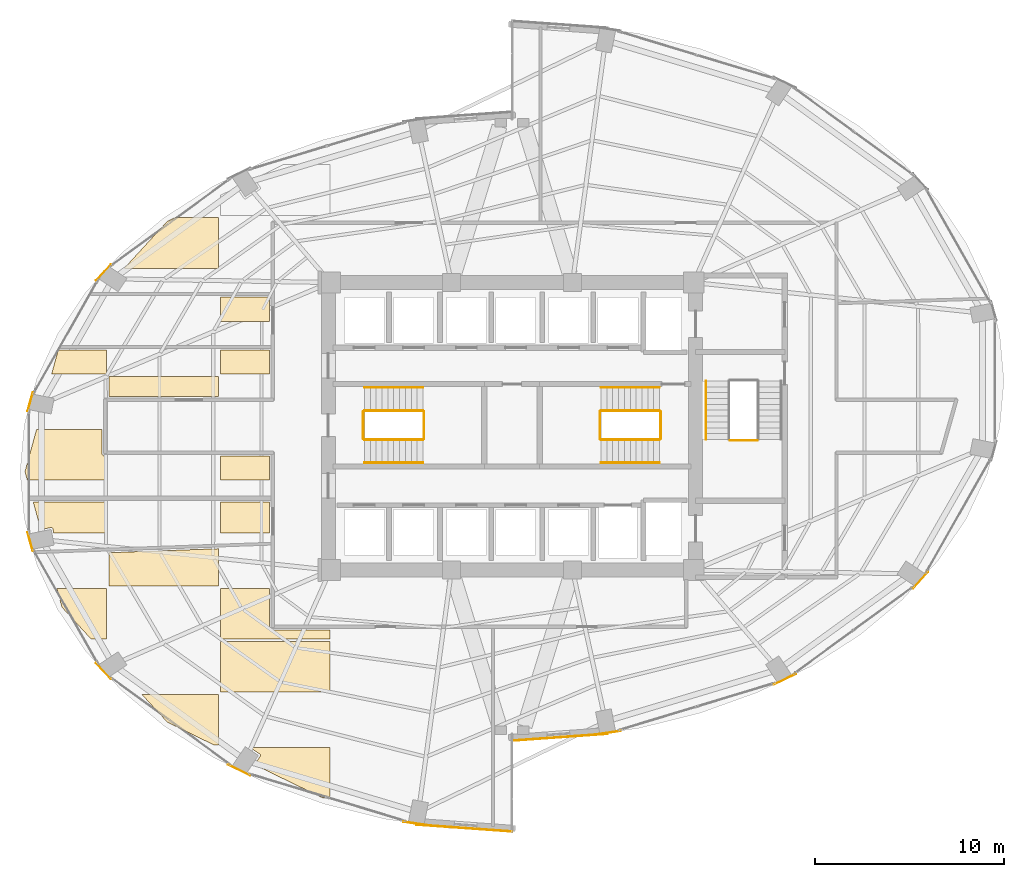
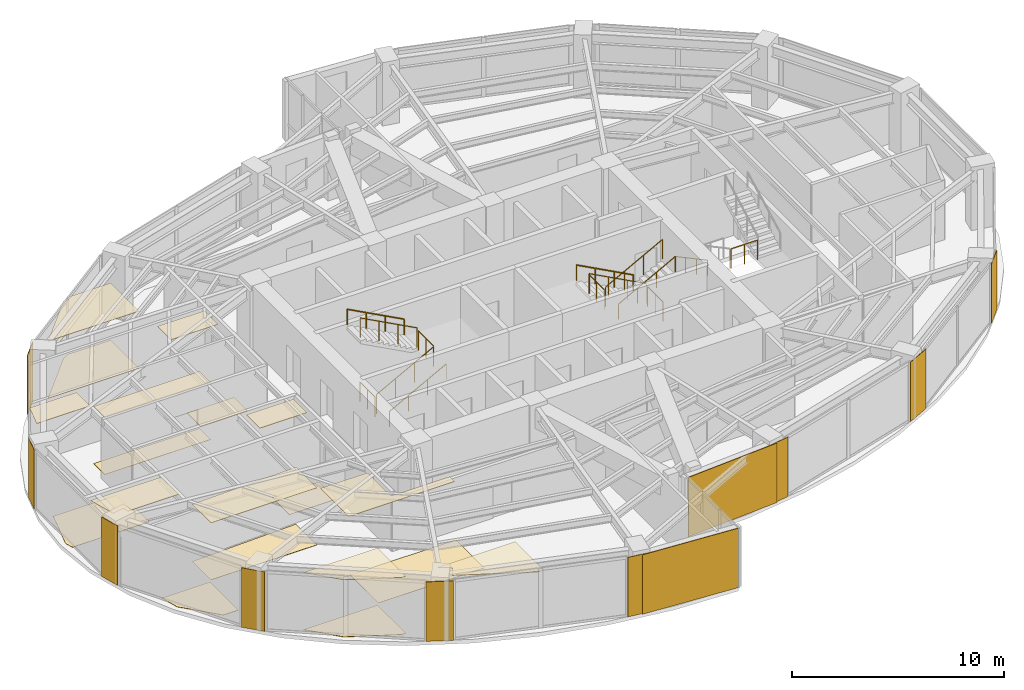
# One storey, part 23 of 24: 30 coverings, 14 railings.
"""IFC4 building model written with IfcOpenShell, lengths in metres."""

import ifcopenshell
import ifcopenshell.guid

model = None  # the IFC model being written
_history = None  # IfcOwnerHistory: only IFC2X3 demands one
_inside = {}  # id of a spatial element -> (the spatial element, [elements in it])
_under = {}  # id of a project, library or spatial element -> (it, [spatial elements below it])
_declared = {}  # id of a project -> (the project, [libraries it declares])
_typed = {}  # id of a type object -> (the type object, [elements of that type])
_made_of = {}  # id of a material, layer set ... -> (it, [elements and type objects made of it])


def new_model(schema):
    """Start an empty IFC model of exactly this schema.

    Asked for "IFC4X3", IfcOpenShell would pick the latest addendum, in which some entities
    have other attributes; the version numbers below select the first issue.
    IFC2X3 requires an IfcOwnerHistory on every rooted entity: one is made here for all.
    """
    global model, _history
    if schema == "IFC4X3":
        model = ifcopenshell.file(schema_version=(4, 3, 0, 0))
    else:
        model = ifcopenshell.file(schema=schema)
    _inside.clear()
    _under.clear()
    _declared.clear()
    _typed.clear()
    _made_of.clear()
    _history = None
    if model.schema == "IFC2X3":
        org = make("IfcOrganization", Name="unknown")
        user = make(
            "IfcPersonAndOrganization",
            ThePerson=make("IfcPerson", FamilyName="unknown"),
            TheOrganization=org,
        )
        app = make(
            "IfcApplication",
            ApplicationDeveloper=org,
            Version="unknown",
            ApplicationFullName="unknown",
            ApplicationIdentifier="unknown",
        )
        _history = make(
            "IfcOwnerHistory",
            OwningUser=user,
            OwningApplication=app,
            ChangeAction="ADDED",
            CreationDate=0,
        )
    return model


def make(cls, **values):
    """One entity of the class cls with the attributes given. An attribute that is None is left unset."""
    return model.create_entity(
        cls, **{name: value for name, value in values.items() if value is not None}
    )


def rooted(cls, **values):
    """An entity with a GlobalId (a new one), such as an element, a storey or a relation."""
    return make(cls, GlobalId=ifcopenshell.guid.new(), OwnerHistory=_history, **values)


def si_unit(unit_type, name, prefix=None):
    """IfcSIUnit, for example si_unit("LENGTHUNIT", "METRE", prefix="MILLI")."""
    return make("IfcSIUnit", UnitType=unit_type, Prefix=prefix, Name=name)


def assignment(units):
    """IfcUnitAssignment: the units of a project."""
    return None if units is None else make("IfcUnitAssignment", Units=units)


def point(xyz):
    """IfcCartesianPoint."""
    return None if xyz is None else make("IfcCartesianPoint", Coordinates=xyz)


def direction(xyz):
    """IfcDirection."""
    return None if xyz is None else make("IfcDirection", DirectionRatios=xyz)


def frame(location, z_axis=None, x_axis=None):
    """IfcAxis2Placement3D, a coordinate frame: its origin and axes. An axis left out is left unset."""
    return make(
        "IfcAxis2Placement3D",
        Location=point(location),
        Axis=direction(z_axis),
        RefDirection=direction(x_axis),
    )


def frame_2d(location, x_axis=None):
    """IfcAxis2Placement2D, a coordinate frame in the plane: its origin and x axis."""
    return make(
        "IfcAxis2Placement2D", Location=point(location), RefDirection=direction(x_axis)
    )


def origin():
    """The frame at (0, 0, 0) with its axes left unset."""
    return frame((0.0, 0.0, 0.0))


def origin_2d():
    """The frame at (0, 0) in the plane with its x axis left unset."""
    return frame_2d((0.0, 0.0))


def place(relative_to, where):
    """IfcLocalPlacement: puts the frame where relative to a parent placement (None: the world)."""
    return make(
        "IfcLocalPlacement", PlacementRelTo=relative_to, RelativePlacement=where
    )


def context(
    kind, dimensions, precision=None, world=None, true_north=None, identifier=None
):
    """IfcGeometricRepresentationContext, for example the 3D "Model" context."""
    return make(
        "IfcGeometricRepresentationContext",
        ContextIdentifier=identifier,
        ContextType=kind,
        CoordinateSpaceDimension=dimensions,
        Precision=precision,
        WorldCoordinateSystem=world,
        TrueNorth=true_north,
    )


def subcontext(parent, identifier, kind, view, scale=None):
    """IfcGeometricRepresentationSubContext, for example "Body" below "Model"."""
    return make(
        "IfcGeometricRepresentationSubContext",
        ContextIdentifier=identifier,
        ContextType=kind,
        ParentContext=parent,
        TargetScale=scale,
        TargetView=view,
    )


def project(units=None, contexts=None):
    """IfcProject with its units and contexts."""
    return rooted(
        "IfcProject",
        Name="project",
        RepresentationContexts=contexts,
        UnitsInContext=assignment(units),
    )


def spatial(cls, under=None, at=None, **own):
    """A site, building, storey or space (cls), placed at a placement, below another one or the project."""
    s = rooted(cls, ObjectPlacement=at, **own)
    if under is not None:
        _under.setdefault(under.id(), (under, []))[1].append(s)
    return s


def polyline(points):
    """IfcPolyline through the points."""
    return make("IfcPolyline", Points=[point(p) for p in points])


def profile(cls, at=None, kind="AREA", **sizes):
    """A parametric profile (cls). Its sizes go by their IFC names, for example OverallWidth=200.0."""
    return make(cls, ProfileType=kind, Position=at, **sizes)


def rectangle(**sizes):
    """IfcRectangleProfileDef."""
    return profile("IfcRectangleProfileDef", **sizes)


def circle(**sizes):
    """IfcCircleProfileDef."""
    return profile("IfcCircleProfileDef", **sizes)


def outline(outer, holes=None, kind="AREA"):
    """IfcArbitraryClosedProfileDef: a profile drawn as a closed curve; with holes, ...WithVoids."""
    if holes is None:
        return make("IfcArbitraryClosedProfileDef", ProfileType=kind, OuterCurve=outer)
    return make(
        "IfcArbitraryProfileDefWithVoids",
        ProfileType=kind,
        OuterCurve=outer,
        InnerCurves=holes,
    )


def extrude(swept, where, along, depth):
    """IfcExtrudedAreaSolid: the profile swept, set in the frame where, extruded along a direction by depth."""
    return make(
        "IfcExtrudedAreaSolid",
        SweptArea=swept,
        Position=where,
        ExtrudedDirection=direction(along),
        Depth=depth,
    )


def shape(context_of_items, identifier, shape_type, items):
    """IfcShapeRepresentation: the items that make up one representation, for example the "Body"."""
    return make(
        "IfcShapeRepresentation",
        ContextOfItems=context_of_items,
        RepresentationIdentifier=identifier,
        RepresentationType=shape_type,
        Items=items,
    )


def material(Name=None, Category=None):
    """IfcMaterial."""
    return make("IfcMaterial", Name=Name, Category=Category)


def layer(
    of_material, thickness, ventilated=None, Name=None, Category=None, Priority=None
):
    """IfcMaterialLayer: one layer of a wall or slab, of a material (None: an air gap)."""
    return make(
        "IfcMaterialLayer",
        Material=of_material,
        LayerThickness=thickness,
        IsVentilated=ventilated,
        Name=Name,
        Category=Category,
        Priority=Priority,
    )


def layer_set(layers, Name=None):
    """IfcMaterialLayerSet."""
    return make("IfcMaterialLayerSet", MaterialLayers=layers, LayerSetName=Name)


def made_of(thing, what):
    """Note that an element or type object is made of a material, layer set ...; save() writes the relation."""
    if what is not None:
        _made_of.setdefault(what.id(), (what, []))[1].append(thing)
    return thing


def type_object(cls, material=None, **own):
    """A type object (cls), such as IfcWallType, which elements share."""
    return made_of(rooted(cls, **own), material)


def element(
    cls,
    number,
    at=None,
    inside=None,
    cuts=None,
    type_object=None,
    material=None,
    context=None,
    identifier="Body",
    shape_type=None,
    held_by="IfcProductDefinitionShape",
    body=None,
    shapes=None,
    **own,
):
    """One element of the class cls, such as IfcWall. Its Tag is "e" and its number.

    at: its placement. inside: the storey or other place that contains it. cuts: it is an
    opening in that element (IfcRelVoidsElement). A single representation is given by context,
    identifier, shape_type and body (its items); several are given by shapes. held_by: the class
    of the entity that holds the representations. save() writes the other relations.
    """
    e = rooted(cls, Tag="e%d" % number, ObjectPlacement=at, **own)
    if body is not None:
        shapes = [shape(context, identifier, shape_type, body)]
    if shapes is not None:
        e.Representation = make(held_by, Representations=shapes)
    if inside is not None:
        _inside.setdefault(inside.id(), (inside, []))[1].append(e)
    if cuts is not None:
        rooted(
            "IfcRelVoidsElement", RelatingBuildingElement=cuts, RelatedOpeningElement=e
        )
    if type_object is not None:
        _typed.setdefault(type_object.id(), (type_object, []))[1].append(e)
    return made_of(e, material)


def aggregate(whole, parts):
    """IfcRelAggregates: a whole, such as a stair, and the parts it consists of."""
    return rooted("IfcRelAggregates", RelatingObject=whole, RelatedObjects=parts)


def save(model, path):
    """Write the relations noted so far, then the file.

    IfcRelAggregates (storeys below a building ...), IfcRelContainedInSpatialStructure (elements
    in a storey), IfcRelDefinesByType, IfcRelAssociatesMaterial and IfcRelDeclares: one each for
    every whole, place, type object, material and project.
    """
    for whole, parts in _under.values():
        aggregate(whole, parts)
    for where, things in _inside.values():
        rooted(
            "IfcRelContainedInSpatialStructure",
            RelatedElements=things,
            RelatingStructure=where,
        )
    for kind, things in _typed.values():
        rooted("IfcRelDefinesByType", RelatedObjects=things, RelatingType=kind)
    for what, things in _made_of.values():
        rooted("IfcRelAssociatesMaterial", RelatedObjects=things, RelatingMaterial=what)
    for by, libraries in _declared.values():
        rooted("IfcRelDeclares", RelatingContext=by, RelatedDefinitions=libraries)
    model.write(path)


model = new_model("IFC4")

# Units and contexts
model_context = context("Model", 3, precision=1e-05, world=origin(), true_north=direction((0.0, 1.0)))
body_context = subcontext(model_context, "Body", "Model", "MODEL_VIEW")
ifc_project = project(units=[si_unit("LENGTHUNIT", "METRE"), si_unit("AREAUNIT", "SQUARE_METRE"), si_unit("VOLUMEUNIT", "CUBIC_METRE"), si_unit("PLANEANGLEUNIT", "RADIAN"), si_unit("MASSUNIT", "GRAM", prefix="KILO")], contexts=[model_context])

# Site, building, storey
site_placement = place(None, origin())
site = spatial("IfcSite", under=ifc_project, at=site_placement, CompositionType="ELEMENT")
building_placement = place(site_placement, origin())
building = spatial("IfcBuilding", under=site, at=building_placement, Name="Lazwardi Medical Tower", CompositionType="ELEMENT")
storey_placement = place(building_placement, frame((0.0, 0.0, 99.98388671875)))
storey = spatial("IfcBuildingStorey", under=building, at=storey_placement, Name="L25", CompositionType="ELEMENT", Elevation=99.98388671875)

# Coverings
ifc_material_1 = material(Name="Anodised bronze aluminium cassette cladding", Category="aluminium")
ifc_layer_1 = layer(ifc_material_1, 0.030029296875)
ifc_layer_set_1 = layer_set([ifc_layer_1], Name="Anodised bronze aluminium cassette cladding")
covering_type_1 = type_object("IfcCoveringType", Name="COV-CLD-BRZ", PredefinedType="CLADDING", material=ifc_layer_set_1)
covering_1_placement = place(storey_placement, frame((41.064208984375, 11.80322265625, 0.0), z_axis=(0.0, 0.0, 1.0), x_axis=(0.989609019093, 0.143784523955, 0.0)))
element("IfcCovering", 1, at=covering_1_placement, inside=storey, type_object=covering_type_1, Name="L25 Mega-column bronze cassette cover M01", PredefinedType="CLADDING", context=body_context, shape_type="SweptSolid", body=[
    extrude(rectangle(XDim=1.392333984375, YDim=0.030029296875, at=origin_2d()), origin(), (0.0, 0.0, 1.0), 3.427978515625),
])
covering_2_placement = place(storey_placement, frame((50.421875, 14.634521484375, 0.0), z_axis=(0.0, 0.0, 1.0), x_axis=(0.898679250201, 0.438606435495, 0.0)))
element("IfcCovering", 2, at=covering_2_placement, inside=storey, type_object=covering_type_1, Name="L25 Mega-column bronze cassette cover M02", PredefinedType="CLADDING", context=body_context, shape_type="SweptSolid", body=[
    extrude(rectangle(XDim=1.2998046875, YDim=0.030029296875, at=origin_2d()), origin(), (0.0, 0.0, 1.0), 3.427978515625),
])
for number, where, z_axis, x_axis, name in (
    (3, (57.583740234375, 19.86572265625, 0.0), (0.0, 0.0, 1.0), (0.674925949214, 0.737885467453, 0.0), "L25 Mega-column bronze cassette cover M03"),
    (4, (14.416259765625, 36.13427734375, 0.0), (0.0, 0.0, 1.0), (-0.674925949214, -0.737885467453, 0.0), "L25 Mega-column bronze cassette cover M11"),
):
    element("IfcCovering", number, at=place(storey_placement, frame(where, z_axis=z_axis, x_axis=x_axis)), inside=storey, type_object=covering_type_1, Name=name, PredefinedType="CLADDING", context=body_context, shape_type="SweptSolid", body=[
        extrude(rectangle(XDim=1.15625, YDim=0.030029296875, at=origin_2d()), origin(), (0.0, 0.0, 1.0), 3.427978515625),
    ])
for number, where, z_axis, x_axis, name in (
    (5, (10.540283203125, 29.299072265625, 0.0), (0.0, 0.0, 1.0), (-0.262696108164, -0.964878621774, 0.0), "L25 Mega-column bronze cassette cover M12"),
    (6, (10.540283203125, 21.90087890625, 0.0), (0.0, 0.0, 1.0), (0.262696108164, -0.964878621774, 0.0), "L25 Mega-column bronze cassette cover M13"),
):
    element("IfcCovering", number, at=place(storey_placement, frame(where, z_axis=z_axis, x_axis=x_axis)), inside=storey, type_object=covering_type_1, Name=name, PredefinedType="CLADDING", context=body_context, shape_type="SweptSolid", body=[
        extrude(rectangle(XDim=1.04296875, YDim=0.030029296875, at=origin_2d()), origin(), (0.0, 0.0, 1.0), 3.427978515625),
    ])
covering_3_placement = place(storey_placement, frame((14.416259765625, 15.06591796875, 0.0), z_axis=(0.0, 0.0, 1.0), x_axis=(0.674925949214, -0.737885467453, 0.0)))
element("IfcCovering", 7, at=covering_3_placement, inside=storey, type_object=covering_type_1, Name="L25 Mega-column bronze cassette cover M14", PredefinedType="CLADDING", context=body_context, shape_type="SweptSolid", body=[
    extrude(rectangle(XDim=1.15625, YDim=0.030029296875, at=origin_2d()), origin(), (0.0, 0.0, 1.0), 3.427978515625),
])
covering_4_placement = place(storey_placement, frame((21.578125, 9.83447265625, 0.0), z_axis=(0.0, 0.0, 1.0), x_axis=(0.898679250201, -0.438606435495, 0.0)))
element("IfcCovering", 8, at=covering_4_placement, inside=storey, type_object=covering_type_1, Name="L25 Mega-column bronze cassette cover M15", PredefinedType="CLADDING", context=body_context, shape_type="SweptSolid", body=[
    extrude(rectangle(XDim=1.2998046875, YDim=0.030029296875, at=origin_2d()), origin(), (0.0, 0.0, 1.0), 3.427978515625),
])
covering_5_placement = place(storey_placement, frame((30.935791015625, 7.00341796875, 0.0), z_axis=(0.0, 0.0, 1.0), x_axis=(0.989609019093, -0.143784523955, 0.0)))
element("IfcCovering", 9, at=covering_5_placement, inside=storey, type_object=covering_type_1, Name="L25 Mega-column bronze cassette cover M16", PredefinedType="CLADDING", context=body_context, shape_type="SweptSolid", body=[
    extrude(rectangle(XDim=1.392333984375, YDim=0.030029296875, at=origin_2d()), origin(), (0.0, 0.0, 1.0), 3.427978515625),
])
ifc_material_2 = material(Name="Turquoise glazed ceramic tilework cladding", Category="masonry")
ifc_layer_2 = layer(ifc_material_2, 0.034912109375)
ifc_layer_set_2 = layer_set([ifc_layer_2], Name="Turquoise glazed ceramic tilework cladding")
covering_type_2 = type_object("IfcCoveringType", Name="COV-CLD-TRQ", PredefinedType="CLADDING", material=ifc_layer_set_2)
covering_6_placement = place(storey_placement, frame((38.533203125, 11.56591796875, 0.0), z_axis=(0.0, 0.0, 1.0), x_axis=(0.997431665415, 0.07162452672, 0.0)))
element("IfcCovering", 10, at=covering_6_placement, inside=storey, type_object=covering_type_2, Name="L25 Turquoise glazed ceramic tilework cladding", PredefinedType="CLADDING", context=body_context, shape_type="SweptSolid", body=[
    extrude(rectangle(XDim=5.05419921875, YDim=0.034912109375, at=origin_2d()), origin(), (0.0, 0.0, 1.0), 3.427978515625),
])
covering_7_placement = place(storey_placement, frame((33.466552734375, 6.76611328125, 0.0), z_axis=(0.0, 0.0, 1.0), x_axis=(0.997431165357, -0.071631490105, 0.0)))
element("IfcCovering", 11, at=covering_7_placement, inside=storey, type_object=covering_type_2, Name="L25 Turquoise glazed ceramic tilework cladding", PredefinedType="CLADDING", context=body_context, shape_type="SweptSolid", body=[
    extrude(rectangle(XDim=5.0537109375, YDim=0.034912109375, at=origin_2d()), origin(), (0.0, 0.0, 1.0), 3.427978515625),
])
ifc_material_3 = material(Name="Acoustic mineral fibre tile")
ifc_layer_3 = layer(ifc_material_3, 0.02490234375)
ifc_layer_set_3 = layer_set([ifc_layer_3], Name="Acoustic mineral fibre tile")
covering_type_3 = type_object("IfcCoveringType", Name="COV-CLG-01", PredefinedType="CEILING", material=ifc_layer_set_3)
covering_8_placement = place(storey_placement, frame((0.0, 0.0, 3.283203125)))
element("IfcCovering", 12, at=covering_8_placement, inside=storey, type_object=covering_type_3, Name="L25 Clinical Acoustic Ceiling 1", PredefinedType="CEILING", context=body_context, shape_type="SweptSolid", body=[
    extrude(outline(polyline([(14.5830078125, 24.0), (10.69970703125, 24.0), (11.097412109375, 22.54248046875), (11.643798828125, 22.651123046875), (11.651611328125, 22.652099609375), (11.6591796875, 22.652587890625), (11.6669921875, 22.652099609375), (11.6748046875, 22.651123046875), (11.6826171875, 22.649169921875), (11.68994140625, 22.646484375), (11.697021484375, 22.643310546875), (11.70361328125, 22.63916015625), (11.710205078125, 22.634521484375), (11.7158203125, 22.629150390625), (11.72119140625, 22.623291015625), (11.725830078125, 22.616943359375), (11.72998046875, 22.6103515625), (11.733154296875, 22.603271484375), (11.73583984375, 22.595703125), (11.73779296875, 22.588134765625), (11.78466796875, 22.352294921875), (14.5830078125, 22.352294921875), (14.5830078125, 24.0)])), origin(), (0.0, 0.0, 1.0), 0.02490234375),
])
covering_9_placement = place(storey_placement, frame((0.0, 0.0, 3.283203125)))
element("IfcCovering", 13, at=covering_9_placement, inside=storey, type_object=covering_type_3, Name="L25 Clinical Acoustic Ceiling 2", PredefinedType="CEILING", context=body_context, shape_type="SweptSolid", body=[
    extrude(outline(polyline([(14.5830078125, 32.034912109375), (12.01904296875, 32.034912109375), (11.6689453125, 30.75244140625), (14.5830078125, 30.75244140625), (14.5830078125, 32.034912109375)])), origin(), (0.0, 0.0, 1.0), 0.02490234375),
])
covering_10_placement = place(storey_placement, frame((0.0, 0.0, 3.283203125)))
element("IfcCovering", 14, at=covering_10_placement, inside=storey, type_object=covering_type_3, Name="L25 Clinical Acoustic Ceiling 3", PredefinedType="CEILING", context=body_context, shape_type="SweptSolid", body=[
    extrude(outline(polyline([(16.439208984375, 13.83251953125), (17.791259765625, 12.357666015625), (20.265625, 11.15234375), (20.48291015625, 11.15234375), (20.48291015625, 13.83251953125), (16.439208984375, 13.83251953125)])), origin(), (0.0, 0.0, 1.0), 0.02490234375),
])
covering_11_placement = place(storey_placement, frame((0.0, 0.0, 3.283203125)))
element("IfcCovering", 15, at=covering_11_placement, inside=storey, type_object=covering_type_3, Name="L25 Clinical Acoustic Ceiling 4", PredefinedType="CEILING", context=body_context, shape_type="SweptSolid", body=[
    extrude(outline(polyline([(20.48291015625, 21.531982421875), (14.702880859375, 21.322998046875), (14.702880859375, 19.552490234375), (20.48291015625, 19.552490234375), (20.48291015625, 21.531982421875)])), origin(), (0.0, 0.0, 1.0), 0.02490234375),
])
covering_12_placement = place(storey_placement, frame((0.0, 0.0, 3.283203125)))
element("IfcCovering", 16, at=covering_12_placement, inside=storey, type_object=covering_type_3, Name="L25 Clinical Acoustic Ceiling 5", PredefinedType="CEILING", context=body_context, shape_type="SweptSolid", body=[
    extrude(outline(polyline([(14.702880859375, 29.574951171875), (20.48291015625, 29.574951171875), (20.48291015625, 30.63232421875), (14.702880859375, 30.63232421875), (14.702880859375, 29.574951171875)])), origin(), (0.0, 0.0, 1.0), 0.02490234375),
])
covering_13_placement = place(storey_placement, frame((0.0, 0.0, 3.283203125)))
element("IfcCovering", 17, at=covering_13_placement, inside=storey, type_object=covering_type_3, Name="L25 Clinical Acoustic Ceiling 6", PredefinedType="CEILING", context=body_context, shape_type="SweptSolid", body=[
    extrude(outline(polyline([(18.181396484375, 39.032470703125), (17.791259765625, 38.84228515625), (15.508544921875, 36.352294921875), (20.48291015625, 36.352294921875), (20.48291015625, 39.032470703125), (18.181396484375, 39.032470703125)])), origin(), (0.0, 0.0, 1.0), 0.02490234375),
])
covering_14_placement = place(storey_placement, frame((0.0, 0.0, 3.283203125)))
element("IfcCovering", 18, at=covering_14_placement, inside=storey, type_object=covering_type_3, Name="L25 Clinical Acoustic Ceiling 7", PredefinedType="CEILING", context=body_context, shape_type="SweptSolid", body=[
    extrude(outline(polyline([(22.143798828125, 11.032470703125), (22.6708984375, 10.68017578125), (22.677490234375, 10.67529296875), (22.68310546875, 10.670166015625), (22.6884765625, 10.664306640625), (22.693115234375, 10.657958984375), (22.697265625, 10.6513671875), (22.700439453125, 10.644287109375), (22.703125, 10.63671875), (22.705078125, 10.629150390625), (22.706298828125, 10.621337890625), (22.70654296875, 10.613525390625), (22.706298828125, 10.605712890625), (22.705078125, 10.597900390625), (22.703125, 10.59033203125), (22.700439453125, 10.5830078125), (22.697265625, 10.575927734375), (22.693115234375, 10.569091796875), (22.39111328125, 10.1171875), (26.0146484375, 8.352294921875), (26.3828125, 8.352294921875), (26.3828125, 11.032470703125), (22.143798828125, 11.032470703125)])), origin(), (0.0, 0.0, 1.0), 0.02490234375),
])
covering_15_placement = place(storey_placement, frame((0.0, 0.0, 3.283203125)))
element("IfcCovering", 19, at=covering_15_placement, inside=storey, type_object=covering_type_3, Name="L25 Clinical Acoustic Ceiling 8", PredefinedType="CEILING", context=body_context, shape_type="SweptSolid", body=[
    extrude(outline(polyline([(26.3828125, 17.22509765625), (23.35009765625, 17.22509765625), (23.345703125, 17.22509765625), (23.33642578125, 17.2255859375), (23.32958984375, 17.226318359375), (23.3203125, 17.2275390625), (23.31201171875, 17.229248046875), (23.302734375, 17.2314453125), (23.2958984375, 17.233642578125), (23.287109375, 17.23681640625), (23.279296875, 17.239990234375), (23.270751953125, 17.243896484375), (23.263916015625, 17.24755859375), (23.256103515625, 17.25244140625), (23.249267578125, 17.2568359375), (23.24169921875, 17.262451171875), (23.236083984375, 17.26708984375), (23.229248046875, 17.273193359375), (23.223388671875, 17.279296875), (23.217041015625, 17.2861328125), (23.21240234375, 17.291748046875), (23.206787109375, 17.29931640625), (23.202392578125, 17.305908203125), (23.197509765625, 17.31396484375), (23.194091796875, 17.32080078125), (23.18994140625, 17.3291015625), (23.186767578125, 17.3369140625), (23.18359375, 17.345703125), (23.181396484375, 17.352783203125), (23.17919921875, 17.36181640625), (23.177490234375, 17.370361328125), (23.17626953125, 17.37939453125), (23.175537109375, 17.386474609375), (23.175048828125, 17.395751953125), (23.175048828125, 17.39990234375), (23.175048828125, 19.432373046875), (20.602783203125, 19.432373046875), (20.602783203125, 16.75244140625), (26.3828125, 16.75244140625), (26.3828125, 17.22509765625)])), origin(), (0.0, 0.0, 1.0), 0.02490234375),
])
covering_16_placement = place(storey_placement, frame((0.0, 0.0, 3.283203125)))
element("IfcCovering", 20, at=covering_16_placement, inside=storey, type_object=covering_type_3, Name="L25 Clinical Acoustic Ceiling 9", PredefinedType="CEILING", context=body_context, shape_type="SweptSolid", body=[
    extrude(outline(polyline([(23.175048828125, 25.15234375), (23.175048828125, 26.425048828125), (20.602783203125, 26.425048828125), (20.602783203125, 25.15234375), (23.175048828125, 25.15234375)])), origin(), (0.0, 0.0, 1.0), 0.02490234375),
])
covering_17_placement = place(storey_placement, frame((0.0, 0.0, 3.283203125)))
element("IfcCovering", 21, at=covering_17_placement, inside=storey, type_object=covering_type_3, Name="L25 Clinical Acoustic Ceiling 10", PredefinedType="CEILING", context=body_context, shape_type="SweptSolid", body=[
    extrude(outline(polyline([(23.175048828125, 33.552490234375), (23.175048828125, 34.8349609375), (20.602783203125, 34.8349609375), (20.602783203125, 33.552490234375), (23.175048828125, 33.552490234375)])), origin(), (0.0, 0.0, 1.0), 0.02490234375),
])
ifc_material_4 = material(Name="Anti-static hospital vinyl sheet flooring")
ifc_layer_4 = layer(ifc_material_4, 0.014892578125)
ifc_layer_set_4 = layer_set([ifc_layer_4], Name="Anti-static hospital vinyl sheet flooring")
covering_type_4 = type_object("IfcCoveringType", Name="COV-FLR-01", PredefinedType="FLOORING", material=ifc_layer_set_4)
covering_18_placement = place(storey_placement, origin())
element("IfcCovering", 22, at=covering_18_placement, inside=storey, type_object=covering_type_4, Name="L25 Clinical Vinyl Flooring 1", PredefinedType="FLOORING", context=body_context, shape_type="SweptSolid", body=[
    extrude(outline(polyline([(11.946044921875, 19.432373046875), (12.217529296875, 18.437744140625), (13.76220703125, 16.75244140625), (14.5830078125, 16.75244140625), (14.5830078125, 19.432373046875), (11.946044921875, 19.432373046875)])), origin(), (0.0, 0.0, 1.0), 0.01513671875),
])
covering_19_placement = place(storey_placement, origin())
element("IfcCovering", 23, at=covering_19_placement, inside=storey, type_object=covering_type_4, Name="L25 Clinical Vinyl Flooring 2", PredefinedType="FLOORING", context=body_context, shape_type="SweptSolid", body=[
    extrude(outline(polyline([(14.5830078125, 26.425048828125), (14.5, 26.425048828125), (14.49560546875, 26.425048828125), (14.486328125, 26.425537109375), (14.4794921875, 26.42626953125), (14.47021484375, 26.427490234375), (14.4619140625, 26.42919921875), (14.452880859375, 26.431396484375), (14.44580078125, 26.43359375), (14.43701171875, 26.436767578125), (14.42919921875, 26.43994140625), (14.4208984375, 26.444091796875), (14.4140625, 26.447509765625), (14.406005859375, 26.452392578125), (14.3994140625, 26.456787109375), (14.391845703125, 26.46240234375), (14.38623046875, 26.467041015625), (14.37939453125, 26.473388671875), (14.373291015625, 26.479248046875), (14.3671875, 26.486083984375), (14.362548828125, 26.49169921875), (14.35693359375, 26.499267578125), (14.352294921875, 26.506103515625), (14.34765625, 26.513916015625), (14.343994140625, 26.520751953125), (14.340087890625, 26.529296875), (14.336669921875, 26.537109375), (14.33349609375, 26.5458984375), (14.33154296875, 26.552734375), (14.3291015625, 26.56201171875), (14.32763671875, 26.5703125), (14.326416015625, 26.57958984375), (14.32568359375, 26.58642578125), (14.3251953125, 26.595703125), (14.324951171875, 26.60009765625), (14.324951171875, 27.83251953125), (10.872314453125, 27.83251953125), (10.262939453125, 25.60009765625), (10.385009765625, 25.15234375), (14.5830078125, 25.15234375), (14.5830078125, 26.425048828125)])), origin(), (0.0, 0.0, 1.0), 0.01513671875),
])
covering_20_placement = place(storey_placement, origin())
element("IfcCovering", 24, at=covering_20_placement, inside=storey, type_object=covering_type_4, Name="L25 Clinical Vinyl Flooring 3", PredefinedType="FLOORING", context=body_context, shape_type="SweptSolid", body=[
    extrude(outline(polyline([(16.439208984375, 13.83251953125), (17.791259765625, 12.357666015625), (20.265625, 11.15234375), (20.48291015625, 11.15234375), (20.48291015625, 13.83251953125), (16.439208984375, 13.83251953125)])), origin(), (0.0, 0.0, 1.0), 0.01513671875),
])
covering_21_placement = place(storey_placement, origin())
element("IfcCovering", 25, at=covering_21_placement, inside=storey, type_object=covering_type_4, Name="L25 Clinical Vinyl Flooring 4", PredefinedType="FLOORING", context=body_context, shape_type="SweptSolid", body=[
    extrude(outline(polyline([(20.48291015625, 21.531982421875), (14.702880859375, 21.322998046875), (14.702880859375, 19.552490234375), (20.48291015625, 19.552490234375), (20.48291015625, 21.531982421875)])), origin(), (0.0, 0.0, 1.0), 0.01513671875),
])
covering_22_placement = place(storey_placement, origin())
element("IfcCovering", 26, at=covering_22_placement, inside=storey, type_object=covering_type_4, Name="L25 Clinical Vinyl Flooring 5", PredefinedType="FLOORING", context=body_context, shape_type="SweptSolid", body=[
    extrude(outline(polyline([(14.702880859375, 29.574951171875), (20.48291015625, 29.574951171875), (20.48291015625, 30.63232421875), (14.702880859375, 30.63232421875), (14.702880859375, 29.574951171875)])), origin(), (0.0, 0.0, 1.0), 0.01513671875),
])
covering_23_placement = place(storey_placement, origin())
element("IfcCovering", 27, at=covering_23_placement, inside=storey, type_object=covering_type_4, Name="L25 Clinical Vinyl Flooring 6", PredefinedType="FLOORING", context=body_context, shape_type="SweptSolid", body=[
    extrude(outline(polyline([(18.181396484375, 39.032470703125), (17.791259765625, 38.84228515625), (15.508544921875, 36.352294921875), (20.48291015625, 36.352294921875), (20.48291015625, 39.032470703125), (18.181396484375, 39.032470703125)])), origin(), (0.0, 0.0, 1.0), 0.01513671875),
])
covering_24_placement = place(storey_placement, origin())
element("IfcCovering", 28, at=covering_24_placement, inside=storey, type_object=covering_type_4, Name="L25 Clinical Vinyl Flooring 7", PredefinedType="FLOORING", context=body_context, shape_type="SweptSolid", body=[
    extrude(outline(polyline([(26.3828125, 13.952392578125), (26.3828125, 16.63232421875), (20.602783203125, 16.63232421875), (20.602783203125, 13.952392578125), (26.3828125, 13.952392578125)])), origin(), (0.0, 0.0, 1.0), 0.01513671875),
])
covering_25_placement = place(storey_placement, origin())
element("IfcCovering", 29, at=covering_25_placement, inside=storey, type_object=covering_type_4, Name="L25 Clinical Vinyl Flooring 8", PredefinedType="FLOORING", context=body_context, shape_type="SweptSolid", body=[
    extrude(outline(polyline([(23.175048828125, 22.352294921875), (23.175048828125, 24.0), (20.602783203125, 24.0), (20.602783203125, 22.352294921875), (23.175048828125, 22.352294921875)])), origin(), (0.0, 0.0, 1.0), 0.01513671875),
])
covering_26_placement = place(storey_placement, origin())
element("IfcCovering", 30, at=covering_26_placement, inside=storey, type_object=covering_type_4, Name="L25 Clinical Vinyl Flooring 9", PredefinedType="FLOORING", context=body_context, shape_type="SweptSolid", body=[
    extrude(outline(polyline([(23.175048828125, 30.75244140625), (23.175048828125, 32.034912109375), (20.602783203125, 32.034912109375), (20.602783203125, 30.75244140625), (23.175048828125, 30.75244140625)])), origin(), (0.0, 0.0, 1.0), 0.01513671875),
])

# Railings
ifc_material_5 = material(Name="Stainless steel Grade 316", Category="steel")
railing_type_1 = type_object("IfcRailingType", Name="RLG-GRD-1150", PredefinedType="GUARDRAIL", material=ifc_material_5)
railing_1_placement = place(storey_placement, frame((28.199951171875, 27.2900390625, 0.166015625)))
element("IfcRailing", 31, at=railing_1_placement, inside=storey, type_object=railing_type_1, Name="L25 ST1 stair guard 1", PredefinedType="GUARDRAIL", context=body_context, shape_type="SweptSolid", body=[
    extrude(circle(Radius=0.02392578125, at=origin_2d()), frame((0.0, 0.0, 1.1259765625), z_axis=(0.881783298633, 0.0, 0.471654761719), x_axis=(0.0, 1.0, 0.0)), (0.0, 0.0, 1.0), 3.515625),
    extrude(circle(Radius=0.02099609375, at=origin_2d()), origin(), (0.0, 0.0, 1.0), 1.099853515625),
    extrude(circle(Radius=0.02099609375, at=origin_2d()), frame((1.033447265625, 0.0, 0.552734375)), (0.0, 0.0, 1.0), 1.099853515625),
    extrude(circle(Radius=0.02099609375, at=origin_2d()), frame((2.066650390625, 0.0, 1.10546875)), (0.0, 0.0, 1.0), 1.099853515625),
    extrude(circle(Radius=0.02099609375, at=origin_2d()), frame((3.10009765625, 0.0, 1.658203125)), (0.0, 0.0, 1.0), 1.099853515625),
])
railing_2_placement = place(storey_placement, frame((31.35009765625, 27.340087890625, 1.82421875)))
element("IfcRailing", 32, at=railing_2_placement, inside=storey, type_object=railing_type_1, Name="L25 ST1 stair guard 2", PredefinedType="GUARDRAIL", context=body_context, shape_type="SweptSolid", body=[
    extrude(circle(Radius=0.02392578125, at=origin_2d()), frame((0.0, 0.0, 1.1259765625), z_axis=(0.0, 1.0, 0.0), x_axis=(-1.0, 0.0, 0.0)), (0.0, 0.0, 1.0), 1.43994140625),
    extrude(circle(Radius=0.02099609375, at=origin_2d()), origin(), (0.0, 0.0, 1.0), 1.099853515625),
    extrude(circle(Radius=0.02099609375, at=origin_2d()), frame((0.0, 0.719970703125, 0.0)), (0.0, 0.0, 1.0), 1.099853515625),
    extrude(circle(Radius=0.02099609375, at=origin_2d()), frame((0.0, 1.43994140625, 0.0)), (0.0, 0.0, 1.0), 1.099853515625),
])
railing_3_placement = place(storey_placement, frame((31.300048828125, 28.830078125, 1.989990234375)))
element("IfcRailing", 33, at=railing_3_placement, inside=storey, type_object=railing_type_1, Name="L25 ST1 stair guard 3", PredefinedType="GUARDRAIL", context=body_context, shape_type="SweptSolid", body=[
    extrude(circle(Radius=0.02392578125, at=origin_2d()), frame((0.0, 0.0, 1.1259765625), z_axis=(-0.881783298633, 0.0, 0.471654761719), x_axis=(0.0, -1.0, 0.0)), (0.0, 0.0, 1.0), 3.515625),
    extrude(circle(Radius=0.02099609375, at=origin_2d()), origin(), (0.0, 0.0, 1.0), 1.099853515625),
    extrude(circle(Radius=0.02099609375, at=origin_2d()), frame((-1.033447265625, 0.0, 0.552734375)), (0.0, 0.0, 1.0), 1.099853515625),
    extrude(circle(Radius=0.02099609375, at=origin_2d()), frame((-2.066650390625, 0.0, 1.10546875)), (0.0, 0.0, 1.0), 1.099853515625),
    extrude(circle(Radius=0.02099609375, at=origin_2d()), frame((-3.10009765625, 0.0, 1.658203125)), (0.0, 0.0, 1.0), 1.099853515625),
])
railing_4_placement = place(storey_placement, frame((28.14990234375, 27.340087890625, 0.0)))
element("IfcRailing", 34, at=railing_4_placement, inside=storey, type_object=railing_type_1, Name="L25 ST1 stair guard 4", PredefinedType="GUARDRAIL", context=body_context, shape_type="SweptSolid", body=[
    extrude(circle(Radius=0.02392578125, at=origin_2d()), frame((0.0, 0.0, 1.1259765625), z_axis=(0.0, 1.0, 0.0), x_axis=(-1.0, 0.0, 0.0)), (0.0, 0.0, 1.0), 1.43994140625),
    extrude(circle(Radius=0.02099609375, at=origin_2d()), origin(), (0.0, 0.0, 1.0), 1.099853515625),
    extrude(circle(Radius=0.02099609375, at=origin_2d()), frame((0.0, 0.719970703125, 0.0)), (0.0, 0.0, 1.0), 1.099853515625),
    extrude(circle(Radius=0.02099609375, at=origin_2d()), frame((0.0, 1.43994140625, 0.0)), (0.0, 0.0, 1.0), 1.099853515625),
])
railing_5_placement = place(storey_placement, frame((43.800048828125, 28.830078125, 0.166015625)))
element("IfcRailing", 35, at=railing_5_placement, inside=storey, type_object=railing_type_1, Name="L25 ST2 stair guard 1", PredefinedType="GUARDRAIL", context=body_context, shape_type="SweptSolid", body=[
    extrude(circle(Radius=0.02392578125, at=origin_2d()), frame((0.0, 0.0, 1.1259765625), z_axis=(-0.881783298633, 0.0, 0.471654761719), x_axis=(0.0, -1.0, 0.0)), (0.0, 0.0, 1.0), 3.515625),
    extrude(circle(Radius=0.02099609375, at=origin_2d()), origin(), (0.0, 0.0, 1.0), 1.099853515625),
    extrude(circle(Radius=0.02099609375, at=origin_2d()), frame((-1.033447265625, 0.0, 0.552734375)), (0.0, 0.0, 1.0), 1.099853515625),
    extrude(circle(Radius=0.02099609375, at=origin_2d()), frame((-2.066650390625, 0.0, 1.10546875)), (0.0, 0.0, 1.0), 1.099853515625),
    extrude(circle(Radius=0.02099609375, at=origin_2d()), frame((-3.10009765625, 0.0, 1.658203125)), (0.0, 0.0, 1.0), 1.099853515625),
])
railing_6_placement = place(storey_placement, frame((40.64990234375, 28.780029296875, 1.82421875)))
element("IfcRailing", 36, at=railing_6_placement, inside=storey, type_object=railing_type_1, Name="L25 ST2 stair guard 2", PredefinedType="GUARDRAIL", context=body_context, shape_type="SweptSolid", body=[
    extrude(circle(Radius=0.02392578125, at=origin_2d()), frame((0.0, 0.0, 1.1259765625), z_axis=(0.0, -1.0, 0.0), x_axis=(1.0, 0.0, 0.0)), (0.0, 0.0, 1.0), 1.43994140625),
    extrude(circle(Radius=0.02099609375, at=origin_2d()), origin(), (0.0, 0.0, 1.0), 1.099853515625),
    extrude(circle(Radius=0.02099609375, at=origin_2d()), frame((0.0, -0.719970703125, 0.0)), (0.0, 0.0, 1.0), 1.099853515625),
    extrude(circle(Radius=0.02099609375, at=origin_2d()), frame((0.0, -1.43994140625, 0.0)), (0.0, 0.0, 1.0), 1.099853515625),
])
railing_7_placement = place(storey_placement, frame((40.699951171875, 27.2900390625, 1.989990234375)))
element("IfcRailing", 37, at=railing_7_placement, inside=storey, type_object=railing_type_1, Name="L25 ST2 stair guard 3", PredefinedType="GUARDRAIL", context=body_context, shape_type="SweptSolid", body=[
    extrude(circle(Radius=0.02392578125, at=origin_2d()), frame((0.0, 0.0, 1.1259765625), z_axis=(0.881783298633, 0.0, 0.471654761719), x_axis=(0.0, 1.0, 0.0)), (0.0, 0.0, 1.0), 3.515625),
    extrude(circle(Radius=0.02099609375, at=origin_2d()), origin(), (0.0, 0.0, 1.0), 1.099853515625),
    extrude(circle(Radius=0.02099609375, at=origin_2d()), frame((1.033447265625, 0.0, 0.552734375)), (0.0, 0.0, 1.0), 1.099853515625),
    extrude(circle(Radius=0.02099609375, at=origin_2d()), frame((2.066650390625, 0.0, 1.10546875)), (0.0, 0.0, 1.0), 1.099853515625),
    extrude(circle(Radius=0.02099609375, at=origin_2d()), frame((3.10009765625, 0.0, 1.658203125)), (0.0, 0.0, 1.0), 1.099853515625),
])
railing_8_placement = place(storey_placement, frame((43.85009765625, 28.780029296875, 0.0)))
element("IfcRailing", 38, at=railing_8_placement, inside=storey, type_object=railing_type_1, Name="L25 ST2 stair guard 4", PredefinedType="GUARDRAIL", context=body_context, shape_type="SweptSolid", body=[
    extrude(circle(Radius=0.02392578125, at=origin_2d()), frame((0.0, 0.0, 1.1259765625), z_axis=(0.0, -1.0, 0.0), x_axis=(1.0, 0.0, 0.0)), (0.0, 0.0, 1.0), 1.43994140625),
    extrude(circle(Radius=0.02099609375, at=origin_2d()), origin(), (0.0, 0.0, 1.0), 1.099853515625),
    extrude(circle(Radius=0.02099609375, at=origin_2d()), frame((0.0, -0.719970703125, 0.0)), (0.0, 0.0, 1.0), 1.099853515625),
    extrude(circle(Radius=0.02099609375, at=origin_2d()), frame((0.0, -1.43994140625, 0.0)), (0.0, 0.0, 1.0), 1.099853515625),
])
railing_9_placement = place(storey_placement, frame((47.52001953125, 27.25, 1.82421875)))
element("IfcRailing", 39, at=railing_9_placement, inside=storey, type_object=railing_type_1, Name="L25 ST3 stair guard 2", PredefinedType="GUARDRAIL", context=body_context, shape_type="SweptSolid", body=[
    extrude(circle(Radius=0.02392578125, at=origin_2d()), frame((0.0, 0.0, 1.1259765625), z_axis=(1.0, 0.0, 0.0), x_axis=(0.0, 1.0, 0.0)), (0.0, 0.0, 1.0), 1.43994140625),
    extrude(circle(Radius=0.02099609375, at=origin_2d()), origin(), (0.0, 0.0, 1.0), 1.099853515625),
    extrude(circle(Radius=0.02099609375, at=origin_2d()), frame((0.719970703125, 0.0, 0.0)), (0.0, 0.0, 1.0), 1.099853515625),
    extrude(circle(Radius=0.02099609375, at=origin_2d()), frame((1.43994140625, 0.0, 0.0)), (0.0, 0.0, 1.0), 1.099853515625),
])
railing_type_2 = type_object("IfcRailingType", Name="RLG-HND-920", PredefinedType="HANDRAIL", material=ifc_material_5)
railing_10_placement = place(storey_placement, frame((28.199951171875, 26.070068359375, 0.166015625)))
element("IfcRailing", 40, at=railing_10_placement, inside=storey, type_object=railing_type_2, Name="L25 ST1 stair handrail 1", PredefinedType="HANDRAIL", context=body_context, shape_type="SweptSolid", body=[
    extrude(circle(Radius=0.02392578125, at=origin_2d()), frame((0.0, 0.0, 0.8857421875), z_axis=(0.881783298633, 0.0, 0.471654761719), x_axis=(0.0, 1.0, 0.0)), (0.0, 0.0, 1.0), 3.515625),
    extrude(circle(Radius=0.02099609375, at=origin_2d()), origin(), (0.0, 0.0, 1.0), 0.85986328125),
    extrude(circle(Radius=0.02099609375, at=origin_2d()), frame((1.033447265625, 0.0, 0.552734375)), (0.0, 0.0, 1.0), 0.85986328125),
    extrude(circle(Radius=0.02099609375, at=origin_2d()), frame((2.066650390625, 0.0, 1.10546875)), (0.0, 0.0, 1.0), 0.85986328125),
    extrude(circle(Radius=0.02099609375, at=origin_2d()), frame((3.10009765625, 0.0, 1.658203125)), (0.0, 0.0, 1.0), 0.85986328125),
])
for number, where, name in (
    (41, (31.300048828125, 30.050048828125, 1.989990234375), "L25 ST1 stair handrail 2"),
    (42, (43.800048828125, 30.050048828125, 0.166015625), "L25 ST2 stair handrail 1"),
):
    element("IfcRailing", number, at=place(storey_placement, frame(where)), inside=storey, type_object=railing_type_2, Name=name, PredefinedType="HANDRAIL", context=body_context, shape_type="SweptSolid", body=[
        extrude(circle(Radius=0.02392578125, at=origin_2d()), frame((0.0, 0.0, 0.8857421875), z_axis=(-0.881783298633, 0.0, 0.471654761719), x_axis=(0.0, -1.0, 0.0)), (0.0, 0.0, 1.0), 3.515625),
        extrude(circle(Radius=0.02099609375, at=origin_2d()), origin(), (0.0, 0.0, 1.0), 0.85986328125),
        extrude(circle(Radius=0.02099609375, at=origin_2d()), frame((-1.033447265625, 0.0, 0.552734375)), (0.0, 0.0, 1.0), 0.85986328125),
        extrude(circle(Radius=0.02099609375, at=origin_2d()), frame((-2.066650390625, 0.0, 1.10546875)), (0.0, 0.0, 1.0), 0.85986328125),
        extrude(circle(Radius=0.02099609375, at=origin_2d()), frame((-3.10009765625, 0.0, 1.658203125)), (0.0, 0.0, 1.0), 0.85986328125),
    ])
railing_11_placement = place(storey_placement, frame((40.699951171875, 26.070068359375, 1.989990234375)))
element("IfcRailing", 43, at=railing_11_placement, inside=storey, type_object=railing_type_2, Name="L25 ST2 stair handrail 2", PredefinedType="HANDRAIL", context=body_context, shape_type="SweptSolid", body=[
    extrude(circle(Radius=0.02392578125, at=origin_2d()), frame((0.0, 0.0, 0.8857421875), z_axis=(0.881783298633, 0.0, 0.471654761719), x_axis=(0.0, 1.0, 0.0)), (0.0, 0.0, 1.0), 3.515625),
    extrude(circle(Radius=0.02099609375, at=origin_2d()), origin(), (0.0, 0.0, 1.0), 0.85986328125),
    extrude(circle(Radius=0.02099609375, at=origin_2d()), frame((1.033447265625, 0.0, 0.552734375)), (0.0, 0.0, 1.0), 0.85986328125),
    extrude(circle(Radius=0.02099609375, at=origin_2d()), frame((2.066650390625, 0.0, 1.10546875)), (0.0, 0.0, 1.0), 0.85986328125),
    extrude(circle(Radius=0.02099609375, at=origin_2d()), frame((3.10009765625, 0.0, 1.658203125)), (0.0, 0.0, 1.0), 0.85986328125),
])
railing_12_placement = place(storey_placement, frame((46.25, 30.39990234375, 0.166015625)))
element("IfcRailing", 44, at=railing_12_placement, inside=storey, type_object=railing_type_2, Name="L25 ST3 stair handrail 1", PredefinedType="HANDRAIL", context=body_context, shape_type="SweptSolid", body=[
    extrude(circle(Radius=0.02392578125, at=origin_2d()), frame((0.0, 0.0, 0.8857421875), z_axis=(0.0, -0.881767849116, 0.471683644262), x_axis=(1.0, 0.0, 0.0)), (0.0, 0.0, 1.0), 3.515380859375),
    extrude(circle(Radius=0.02099609375, at=origin_2d()), origin(), (0.0, 0.0, 1.0), 0.85986328125),
    extrude(circle(Radius=0.02099609375, at=origin_2d()), frame((0.0, -1.033203125, 0.552734375)), (0.0, 0.0, 1.0), 0.85986328125),
    extrude(circle(Radius=0.02099609375, at=origin_2d()), frame((0.0, -2.066650390625, 1.10546875)), (0.0, 0.0, 1.0), 0.85986328125),
    extrude(circle(Radius=0.02099609375, at=origin_2d()), frame((0.0, -3.099853515625, 1.658203125)), (0.0, 0.0, 1.0), 0.85986328125),
])

save(model, "model.ifc")
